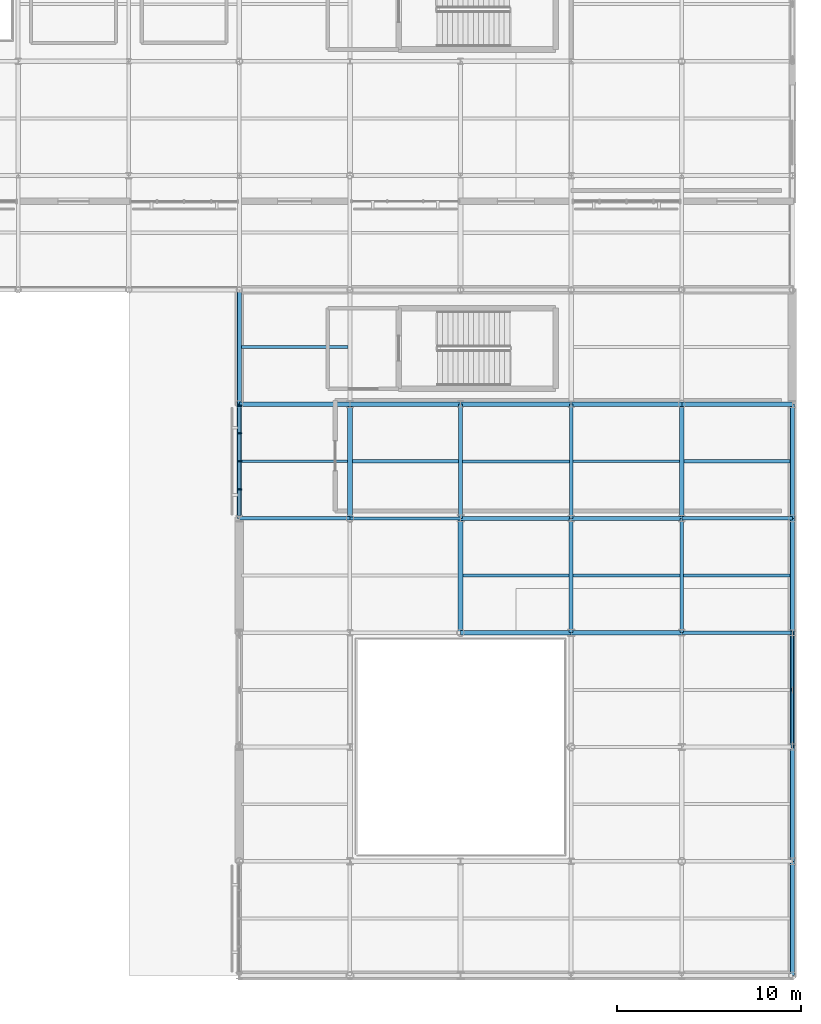
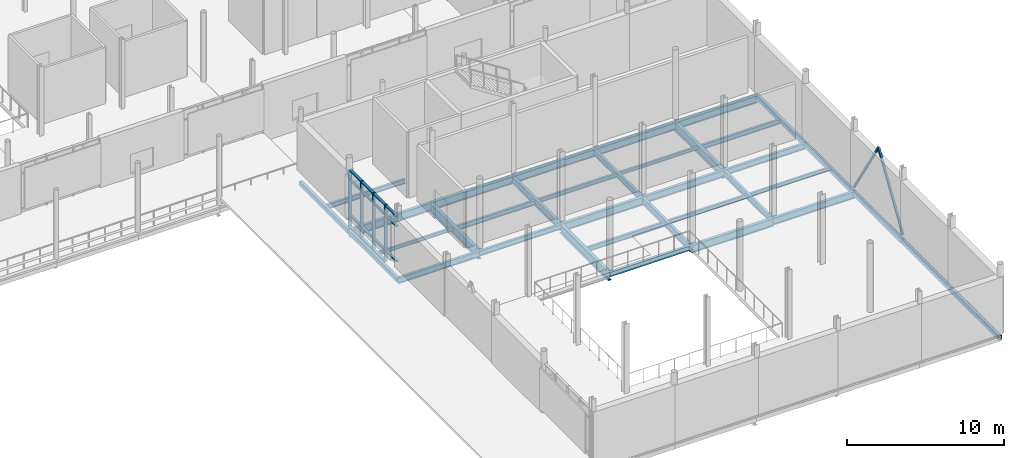
# One storey, part 46 of 105: 36 beams, 21 members, 1 element without a shape of its own.
"""IFC4 building model written with IfcOpenShell, lengths in metres."""

from ifc_helpers import new_model, si_unit, direction, frame, origin, origin_2d, place, context, subcontext, project, spatial, rectangle, hollow_rectangle, i_section, extrude, material, layer, layer_set, material_profile, profile_set, type_object, element, aggregate, save


model = new_model("IFC4")

# Units and contexts
model_context = context("Model", 3, precision=1e-05, world=origin(), true_north=direction((0.0, 1.0)))
body_context = subcontext(model_context, "Body", "Model", "MODEL_VIEW")
ifc_project = project(units=[si_unit("LENGTHUNIT", "METRE"), si_unit("AREAUNIT", "SQUARE_METRE"), si_unit("VOLUMEUNIT", "CUBIC_METRE"), si_unit("PLANEANGLEUNIT", "RADIAN"), si_unit("MASSUNIT", "GRAM", prefix="KILO")], contexts=[model_context])

# Site, building, storey
site_placement = place(None, origin())
site = spatial("IfcSite", under=ifc_project, at=site_placement, CompositionType="ELEMENT")
building_placement = place(site_placement, origin())
building = spatial("IfcBuilding", under=site, at=building_placement, Name="Mirzam Square Science Centre", CompositionType="ELEMENT")
storey_placement = place(building_placement, frame((0.0, 0.0, 5.39990234375)))
storey = spatial("IfcBuildingStorey", under=building, at=storey_placement, Name="L01", CompositionType="ELEMENT", Elevation=5.39990234375)

# Beams
ifc_material_1 = material(Name="Steel S355", Category="steel")
ifc_material_profile_1 = material_profile(ifc_material_1, i_section(OverallWidth=0.1787109375, OverallDepth=0.409423828125, WebThickness=0.0087890625, FlangeThickness=0.014404296875, FilletRadius=0.01025390625, at=origin_2d()), Name="406x178x67UB")
ifc_profile_set_1 = profile_set([ifc_material_profile_1], Name="Steel S355")
beam_type_1 = type_object("IfcBeamType", Name="BM-UB406", PredefinedType="BEAM", material=ifc_profile_set_1)
beam_1_placement = place(storey_placement, frame((138.0, 24.800048828125, -0.464599609375), z_axis=(1.0, 0.0, 0.0), x_axis=(0.0, 1.0, 0.0)))
element("IfcBeam", 1, at=beam_1_placement, inside=storey, type_object=beam_type_1, Name="L01 girder X24-5", PredefinedType="BEAM", context=body_context, shape_type="SweptSolid", body=[
    extrude(i_section(OverallWidth=0.1787109375, OverallDepth=0.409423828125, WebThickness=0.0087890625, FlangeThickness=0.014404296875, FilletRadius=0.01025390625, at=origin_2d()), origin(), (0.0, 0.0, 1.0), 6.0),
])
ifc_material_profile_2 = material_profile(ifc_material_1, i_section(OverallWidth=0.19140625, OverallDepth=0.4599609375, WebThickness=0.010009765625, FlangeThickness=0.01611328125, FilletRadius=0.01025390625, at=origin_2d()), Name="457x191x82UB")
ifc_profile_set_2 = profile_set([ifc_material_profile_2], Name="Steel S355")
beam_type_2 = type_object("IfcBeamType", Name="BM-UB457", PredefinedType="BEAM", material=ifc_profile_set_2)
for number, where, z_axis, x_axis, name in (
    (2, (132.0, 24.800048828125, -0.489990234375), (1.0, 0.0, 0.0), (0.0, 1.0, 0.0), "L01 girder X23-5"),
    (3, (156.0, 24.800048828125, -0.489990234375), (1.0, 0.0, 0.0), (0.0, 1.0, 0.0), "L01 girder X27-5"),
):
    element("IfcBeam", number, at=place(storey_placement, frame(where, z_axis=z_axis, x_axis=x_axis)), inside=storey, type_object=beam_type_2, Name=name, PredefinedType="BEAM", context=body_context, shape_type="SweptSolid", body=[
        extrude(i_section(OverallWidth=0.19140625, OverallDepth=0.4599609375, WebThickness=0.010009765625, FlangeThickness=0.01611328125, FilletRadius=0.01025390625, at=origin_2d()), origin(), (0.0, 0.0, 1.0), 6.0),
    ])
for number, where, z_axis, x_axis, name in (
    (4, (150.0, 24.800048828125, -0.489990234375), (0.0, 1.0, 0.0), (-1.0, 0.0, 0.0), "L01 girder Y26-5"),
    (5, (156.0, 18.60009765625, -0.489990234375), (0.0, 1.0, 0.0), (-1.0, 0.0, 0.0), "L01 girder Y27-4"),
):
    element("IfcBeam", number, at=place(storey_placement, frame(where, z_axis=z_axis, x_axis=x_axis)), inside=storey, type_object=beam_type_2, Name=name, PredefinedType="BEAM", context=body_context, shape_type="SweptSolid", body=[
        extrude(i_section(OverallWidth=0.19140625, OverallDepth=0.4599609375, WebThickness=0.010009765625, FlangeThickness=0.01611328125, FilletRadius=0.01025390625, at=origin_2d()), origin(), (0.0, 0.0, 1.0), 6.199951171875),
    ])
ifc_material_profile_3 = material_profile(ifc_material_1, i_section(OverallWidth=0.2099609375, OverallDepth=0.53662109375, WebThickness=0.0107421875, FlangeThickness=0.017333984375, FilletRadius=0.0126953125, at=origin_2d()), Name="533x210x101UB")
ifc_profile_set_3 = profile_set([ifc_material_profile_3], Name="Steel S355")
beam_type_3 = type_object("IfcBeamType", Name="BM-UB533", PredefinedType="BEAM", material=ifc_profile_set_3)
for number, where, z_axis, x_axis, name in (
    (6, (156.0, 18.60009765625, -0.5283203125), (1.0, 0.0, 0.0), (0.0, 1.0, 0.0), "L01 girder X27-4"),
    (7, (150.0, 24.800048828125, -0.5283203125), (1.0, 0.0, 0.0), (0.0, 1.0, 0.0), "L01 girder X26-5"),
):
    element("IfcBeam", number, at=place(storey_placement, frame(where, z_axis=z_axis, x_axis=x_axis)), inside=storey, type_object=beam_type_3, Name=name, PredefinedType="BEAM", context=body_context, shape_type="SweptSolid", body=[
        extrude(i_section(OverallWidth=0.2099609375, OverallDepth=0.53662109375, WebThickness=0.0107421875, FlangeThickness=0.017333984375, FilletRadius=0.0126953125, at=origin_2d()), origin(), (0.0, 0.0, 1.0), 6.0),
    ])
for number, where, z_axis, x_axis, name in (
    (8, (144.0, 24.800048828125, -0.5283203125), (0.0, 1.0, 0.0), (-1.0, 0.0, 0.0), "L01 girder Y25-5"),
    (9, (150.0, 18.60009765625, -0.5283203125), (0.0, 1.0, 0.0), (-1.0, 0.0, 0.0), "L01 girder Y26-4"),
):
    element("IfcBeam", number, at=place(storey_placement, frame(where, z_axis=z_axis, x_axis=x_axis)), inside=storey, type_object=beam_type_3, Name=name, PredefinedType="BEAM", context=body_context, shape_type="SweptSolid", body=[
        extrude(i_section(OverallWidth=0.2099609375, OverallDepth=0.53662109375, WebThickness=0.0107421875, FlangeThickness=0.017333984375, FilletRadius=0.0126953125, at=origin_2d()), origin(), (0.0, 0.0, 1.0), 6.199951171875),
    ])
ifc_material_profile_4 = material_profile(ifc_material_1, i_section(OverallWidth=0.22900390625, OverallDepth=0.6123046875, WebThickness=0.011962890625, FlangeThickness=0.01953125, FilletRadius=0.0126953125, at=origin_2d()), Name="610x229x125UB")
ifc_profile_set_4 = profile_set([ifc_material_profile_4], Name="Steel S355")
beam_type_4 = type_object("IfcBeamType", Name="BM-UB610", PredefinedType="BEAM", material=ifc_profile_set_4)
for number, where, z_axis, x_axis, name in (
    (10, (150.0, 18.60009765625, -0.56591796875), (1.0, 0.0, 0.0), (0.0, 1.0, 0.0), "L01 girder X26-4"),
    (11, (144.0, 24.800048828125, -0.56591796875), (1.0, 0.0, 0.0), (0.0, 1.0, 0.0), "L01 girder X25-5"),
    (12, (132.0, 31.0, -0.56591796875), (1.0, 0.0, 0.0), (0.0, 1.0, 0.0), "L01 girder X23-6"),
    (13, (138.0, 31.0, -0.56591796875), (1.0, 0.0, 0.0), (0.0, 1.0, 0.0), "L01 girder X24-6"),
    (14, (144.0, 31.0, -0.56591796875), (1.0, 0.0, 0.0), (0.0, 1.0, 0.0), "L01 girder X25-6"),
    (15, (150.0, 31.0, -0.56591796875), (1.0, 0.0, 0.0), (0.0, 1.0, 0.0), "L01 girder X26-6"),
    (16, (156.0, 31.0, -0.56591796875), (1.0, 0.0, 0.0), (0.0, 1.0, 0.0), "L01 girder X27-6"),
):
    element("IfcBeam", number, at=place(storey_placement, frame(where, z_axis=z_axis, x_axis=x_axis)), inside=storey, type_object=beam_type_4, Name=name, PredefinedType="BEAM", context=body_context, shape_type="SweptSolid", body=[
        extrude(i_section(OverallWidth=0.22900390625, OverallDepth=0.6123046875, WebThickness=0.011962890625, FlangeThickness=0.01953125, FilletRadius=0.0126953125, at=origin_2d()), origin(), (0.0, 0.0, 1.0), 6.0),
    ])
ifc_material_profile_5 = material_profile(ifc_material_1, i_section(OverallWidth=0.25439453125, OverallDepth=0.6875, WebThickness=0.01318359375, FlangeThickness=0.02099609375, FilletRadius=0.01513671875, at=origin_2d()), Name="686x254x152UB")
ifc_profile_set_5 = profile_set([ifc_material_profile_5], Name="Steel S355")
beam_type_5 = type_object("IfcBeamType", Name="BM-UB686", PredefinedType="BEAM", material=ifc_profile_set_5)
for number, where, z_axis, x_axis, name in (
    (17, (138.0, 24.800048828125, -0.603759765625), (0.0, 1.0, 0.0), (-1.0, 0.0, 0.0), "L01 girder Y24-5"),
    (18, (144.0, 18.60009765625, -0.603759765625), (0.0, 1.0, 0.0), (-1.0, 0.0, 0.0), "L01 girder Y25-4"),
    (19, (156.0, 24.800048828125, -0.603759765625), (0.0, 1.0, 0.0), (-1.0, 0.0, 0.0), "L01 girder Y27-5"),
):
    element("IfcBeam", number, at=place(storey_placement, frame(where, z_axis=z_axis, x_axis=x_axis)), inside=storey, type_object=beam_type_5, Name=name, PredefinedType="BEAM", context=body_context, shape_type="SweptSolid", body=[
        extrude(i_section(OverallWidth=0.25439453125, OverallDepth=0.6875, WebThickness=0.01318359375, FlangeThickness=0.02099609375, FilletRadius=0.01513671875, at=origin_2d()), origin(), (0.0, 0.0, 1.0), 6.199951171875),
    ])

# Members
ifc_material_profile_6 = material_profile(ifc_material_1, hollow_rectangle(XDim=0.14990234375, YDim=0.14990234375, WallThickness=0.008056640625, InnerFilletRadius=0.008056640625, OuterFilletRadius=0.01611328125, at=origin_2d()), Name="150x150x8.0SHS")
ifc_profile_set_6 = profile_set([ifc_material_profile_6], Name="Steel S355")
member_type_1 = type_object("IfcMemberType", Name="BR-SHS150", PredefinedType="BRACE", material=ifc_profile_set_6)
for number, where, z_axis, x_axis, name in (
    (20, (162.0, 12.39990234375, 0.050048828125), (0.0, 0.532707561114, 0.84629938812), (-1.0, 0.0, 0.0), "L01 chevron brace 7A"),
    (21, (162.0, 18.60009765625, 0.050048828125), (0.0, -0.532707561114, 0.84629938812), (1.0, 0.0, 0.0), "L01 chevron brace 7B"),
):
    element("IfcMember", number, at=place(storey_placement, frame(where, z_axis=z_axis, x_axis=x_axis)), inside=storey, type_object=member_type_1, Name=name, PredefinedType="BRACE", context=body_context, shape_type="SweptSolid", body=[
        extrude(hollow_rectangle(XDim=0.14990234375, YDim=0.14990234375, WallThickness=0.008056640625, InnerFilletRadius=0.008056640625, OuterFilletRadius=0.01611328125, at=origin_2d()), origin(), (0.0, 0.0, 1.0), 5.819580078125),
    ])

# Curtain wall, members
ifc_material_2 = material(Name="Anodised Aluminium and Low-E Solar Glass", Category="aluminium")
ifc_layer = layer(ifc_material_2, 0.179931640625)
ifc_layer_set = layer_set([ifc_layer], Name="CW-PARK-A")
curtain_wall_type = type_object("IfcCurtainWallType", Name="CW-PARK-A", PredefinedType="USERDEFINED", material=ifc_layer_set)
curtain_wall_placement = place(storey_placement, origin())
curtain_wall = element("IfcCurtainWall", 22, at=curtain_wall_placement, inside=storey, type_object=curtain_wall_type, Name="L01 unitised curtain wall 61", ObjectType="UNITISED CURTAIN WALL", PredefinedType="USERDEFINED")
ifc_material_3 = material(Name="Anodised Architectural Aluminium 6063-T6", Category="aluminium")
ifc_material_profile_7 = material_profile(ifc_material_3, rectangle(XDim=0.074951171875, YDim=0.239990234375, at=origin_2d()), Name="ALU-MULL-240x75x5")
ifc_profile_set_7 = profile_set([ifc_material_profile_7], Name="Anodised Architectural Aluminium 6063-T6")
member_type_2 = type_object("IfcMemberType", Name="CWM-240", PredefinedType="MULLION", material=ifc_profile_set_7)
member_1_placement = place(storey_placement, frame((132.0, 30.907470703125, 0.0), z_axis=(0.0, 0.0, 1.0), x_axis=(0.0, -1.0, 0.0)))
member_1 = element("IfcMember", 23, at=member_1_placement, type_object=member_type_2, Name="CW-01 mullion 1", PredefinedType="MULLION", context=body_context, shape_type="SweptSolid", body=[
    extrude(rectangle(XDim=0.074951171875, YDim=0.239990234375, at=origin_2d()), origin(), (0.0, 0.0, 1.0), 4.440185546875),
])
member_2_placement = place(storey_placement, frame((132.0, 29.422607421875, 0.0), z_axis=(0.0, 0.0, 1.0), x_axis=(0.0, -1.0, 0.0)))
member_2 = element("IfcMember", 24, at=member_2_placement, type_object=member_type_2, Name="CW-01 mullion 2", PredefinedType="MULLION", context=body_context, shape_type="SweptSolid", body=[
    extrude(rectangle(XDim=0.074951171875, YDim=0.239990234375, at=origin_2d()), origin(), (0.0, 0.0, 1.0), 4.440185546875),
])
member_3_placement = place(storey_placement, frame((132.0, 27.89990234375, 0.0), z_axis=(0.0, 0.0, 1.0), x_axis=(0.0, -1.0, 0.0)))
member_3 = element("IfcMember", 25, at=member_3_placement, type_object=member_type_2, Name="CW-01 mullion 3", PredefinedType="MULLION", context=body_context, shape_type="SweptSolid", body=[
    extrude(rectangle(XDim=0.074951171875, YDim=0.239990234375, at=origin_2d()), origin(), (0.0, 0.0, 1.0), 4.440185546875),
])
member_4_placement = place(storey_placement, frame((132.0, 26.37744140625, 0.0), z_axis=(0.0, 0.0, 1.0), x_axis=(0.0, -1.0, 0.0)))
member_4 = element("IfcMember", 26, at=member_4_placement, type_object=member_type_2, Name="CW-01 mullion 4", PredefinedType="MULLION", context=body_context, shape_type="SweptSolid", body=[
    extrude(rectangle(XDim=0.074951171875, YDim=0.239990234375, at=origin_2d()), origin(), (0.0, 0.0, 1.0), 4.440185546875),
])
ifc_material_profile_8 = material_profile(ifc_material_3, rectangle(XDim=0.179931640625, YDim=0.074951171875, at=origin_2d()), Name="ALU-TRAN-180x75x5")
ifc_profile_set_8 = profile_set([ifc_material_profile_8], Name="Anodised Architectural Aluminium 6063-T6")
member_type_3 = type_object("IfcMemberType", Name="CWT-180", PredefinedType="USERDEFINED", material=ifc_profile_set_8)
member_5_placement = place(storey_placement, frame((132.0, 30.8701171875, 0.03759765625), z_axis=(0.0, -1.0, 0.0), x_axis=(1.0, 0.0, 0.0)))
member_5 = element("IfcMember", 27, at=member_5_placement, type_object=member_type_3, Name="CW-01 transom 1.1", ObjectType="TRANSOM", PredefinedType="USERDEFINED", context=body_context, shape_type="SweptSolid", body=[
    extrude(rectangle(XDim=0.179931640625, YDim=0.074951171875, at=origin_2d()), origin(), (0.0, 0.0, 1.0), 1.41015625),
])
member_6_placement = place(storey_placement, frame((132.0, 30.8701171875, 0.900146484375), z_axis=(0.0, -1.0, 0.0), x_axis=(1.0, 0.0, 0.0)))
member_6 = element("IfcMember", 28, at=member_6_placement, type_object=member_type_3, Name="CW-01 transom 1.2", ObjectType="TRANSOM", PredefinedType="USERDEFINED", context=body_context, shape_type="SweptSolid", body=[
    extrude(rectangle(XDim=0.179931640625, YDim=0.074951171875, at=origin_2d()), origin(), (0.0, 0.0, 1.0), 1.41015625),
])
member_7_placement = place(storey_placement, frame((132.0, 30.8701171875, 3.64013671875), z_axis=(0.0, -1.0, 0.0), x_axis=(1.0, 0.0, 0.0)))
member_7 = element("IfcMember", 29, at=member_7_placement, type_object=member_type_3, Name="CW-01 transom 1.3", ObjectType="TRANSOM", PredefinedType="USERDEFINED", context=body_context, shape_type="SweptSolid", body=[
    extrude(rectangle(XDim=0.179931640625, YDim=0.074951171875, at=origin_2d()), origin(), (0.0, 0.0, 1.0), 1.41015625),
])
member_8_placement = place(storey_placement, frame((132.0, 30.8701171875, 4.402587890625), z_axis=(0.0, -1.0, 0.0), x_axis=(1.0, 0.0, 0.0)))
member_8 = element("IfcMember", 30, at=member_8_placement, type_object=member_type_3, Name="CW-01 transom 1.4", ObjectType="TRANSOM", PredefinedType="USERDEFINED", context=body_context, shape_type="SweptSolid", body=[
    extrude(rectangle(XDim=0.179931640625, YDim=0.074951171875, at=origin_2d()), origin(), (0.0, 0.0, 1.0), 1.41015625),
])
member_9_placement = place(storey_placement, frame((132.0, 29.385009765625, 0.03759765625), z_axis=(0.0, -1.0, 0.0), x_axis=(1.0, 0.0, 0.0)))
member_9 = element("IfcMember", 31, at=member_9_placement, type_object=member_type_3, Name="CW-01 transom 2.1", ObjectType="TRANSOM", PredefinedType="USERDEFINED", context=body_context, shape_type="SweptSolid", body=[
    extrude(rectangle(XDim=0.179931640625, YDim=0.074951171875, at=origin_2d()), origin(), (0.0, 0.0, 1.0), 1.447509765625),
])
member_10_placement = place(storey_placement, frame((132.0, 29.385009765625, 0.900146484375), z_axis=(0.0, -1.0, 0.0), x_axis=(1.0, 0.0, 0.0)))
member_10 = element("IfcMember", 32, at=member_10_placement, type_object=member_type_3, Name="CW-01 transom 2.2", ObjectType="TRANSOM", PredefinedType="USERDEFINED", context=body_context, shape_type="SweptSolid", body=[
    extrude(rectangle(XDim=0.179931640625, YDim=0.074951171875, at=origin_2d()), origin(), (0.0, 0.0, 1.0), 1.447509765625),
])
member_11_placement = place(storey_placement, frame((132.0, 29.385009765625, 3.64013671875), z_axis=(0.0, -1.0, 0.0), x_axis=(1.0, 0.0, 0.0)))
member_11 = element("IfcMember", 33, at=member_11_placement, type_object=member_type_3, Name="CW-01 transom 2.3", ObjectType="TRANSOM", PredefinedType="USERDEFINED", context=body_context, shape_type="SweptSolid", body=[
    extrude(rectangle(XDim=0.179931640625, YDim=0.074951171875, at=origin_2d()), origin(), (0.0, 0.0, 1.0), 1.447509765625),
])
member_12_placement = place(storey_placement, frame((132.0, 29.385009765625, 4.402587890625), z_axis=(0.0, -1.0, 0.0), x_axis=(1.0, 0.0, 0.0)))
member_12 = element("IfcMember", 34, at=member_12_placement, type_object=member_type_3, Name="CW-01 transom 2.4", ObjectType="TRANSOM", PredefinedType="USERDEFINED", context=body_context, shape_type="SweptSolid", body=[
    extrude(rectangle(XDim=0.179931640625, YDim=0.074951171875, at=origin_2d()), origin(), (0.0, 0.0, 1.0), 1.447509765625),
])
member_13_placement = place(storey_placement, frame((132.0, 27.862548828125, 0.03759765625), z_axis=(0.0, -1.0, 0.0), x_axis=(1.0, 0.0, 0.0)))
member_13 = element("IfcMember", 35, at=member_13_placement, type_object=member_type_3, Name="CW-01 transom 3.1", ObjectType="TRANSOM", PredefinedType="USERDEFINED", context=body_context, shape_type="SweptSolid", body=[
    extrude(rectangle(XDim=0.179931640625, YDim=0.074951171875, at=origin_2d()), origin(), (0.0, 0.0, 1.0), 1.447509765625),
])
member_14_placement = place(storey_placement, frame((132.0, 27.862548828125, 0.900146484375), z_axis=(0.0, -1.0, 0.0), x_axis=(1.0, 0.0, 0.0)))
member_14 = element("IfcMember", 36, at=member_14_placement, type_object=member_type_3, Name="CW-01 transom 3.2", ObjectType="TRANSOM", PredefinedType="USERDEFINED", context=body_context, shape_type="SweptSolid", body=[
    extrude(rectangle(XDim=0.179931640625, YDim=0.074951171875, at=origin_2d()), origin(), (0.0, 0.0, 1.0), 1.447509765625),
])
member_15_placement = place(storey_placement, frame((132.0, 27.862548828125, 3.64013671875), z_axis=(0.0, -1.0, 0.0), x_axis=(1.0, 0.0, 0.0)))
member_15 = element("IfcMember", 37, at=member_15_placement, type_object=member_type_3, Name="CW-01 transom 3.3", ObjectType="TRANSOM", PredefinedType="USERDEFINED", context=body_context, shape_type="SweptSolid", body=[
    extrude(rectangle(XDim=0.179931640625, YDim=0.074951171875, at=origin_2d()), origin(), (0.0, 0.0, 1.0), 1.447509765625),
])
member_16_placement = place(storey_placement, frame((132.0, 27.862548828125, 4.402587890625), z_axis=(0.0, -1.0, 0.0), x_axis=(1.0, 0.0, 0.0)))
member_16 = element("IfcMember", 38, at=member_16_placement, type_object=member_type_3, Name="CW-01 transom 3.4", ObjectType="TRANSOM", PredefinedType="USERDEFINED", context=body_context, shape_type="SweptSolid", body=[
    extrude(rectangle(XDim=0.179931640625, YDim=0.074951171875, at=origin_2d()), origin(), (0.0, 0.0, 1.0), 1.447509765625),
])
member_17_placement = place(storey_placement, frame((132.0, 26.340087890625, 0.900146484375), z_axis=(0.0, -1.0, 0.0), x_axis=(1.0, 0.0, 0.0)))
member_17 = element("IfcMember", 39, at=member_17_placement, type_object=member_type_3, Name="CW-01 transom 4.2", ObjectType="TRANSOM", PredefinedType="USERDEFINED", context=body_context, shape_type="SweptSolid", body=[
    extrude(rectangle(XDim=0.179931640625, YDim=0.074951171875, at=origin_2d()), origin(), (0.0, 0.0, 1.0), 1.41015625),
])
member_18_placement = place(storey_placement, frame((132.0, 26.340087890625, 3.64013671875), z_axis=(0.0, -1.0, 0.0), x_axis=(1.0, 0.0, 0.0)))
member_18 = element("IfcMember", 40, at=member_18_placement, type_object=member_type_3, Name="CW-01 transom 4.3", ObjectType="TRANSOM", PredefinedType="USERDEFINED", context=body_context, shape_type="SweptSolid", body=[
    extrude(rectangle(XDim=0.179931640625, YDim=0.074951171875, at=origin_2d()), origin(), (0.0, 0.0, 1.0), 1.41015625),
])
member_19_placement = place(storey_placement, frame((132.0, 26.340087890625, 4.402587890625), z_axis=(0.0, -1.0, 0.0), x_axis=(1.0, 0.0, 0.0)))
member_19 = element("IfcMember", 41, at=member_19_placement, type_object=member_type_3, Name="CW-01 transom 4.4", ObjectType="TRANSOM", PredefinedType="USERDEFINED", context=body_context, shape_type="SweptSolid", body=[
    extrude(rectangle(XDim=0.179931640625, YDim=0.074951171875, at=origin_2d()), origin(), (0.0, 0.0, 1.0), 1.41015625),
])
aggregate(curtain_wall, [member_1, member_2, member_3, member_4, member_5, member_6, member_7, member_8, member_9, member_10, member_11, member_12, member_13, member_14, member_15, member_16, member_17, member_18, member_19])

# Beams
ifc_material_profile_9 = material_profile(ifc_material_1, i_section(OverallWidth=0.146484375, OverallDepth=0.256103515625, WebThickness=0.00634765625, FlangeThickness=0.010986328125, FilletRadius=0.007568359375, at=origin_2d()), Name="254x146x37UB")
ifc_profile_set_9 = profile_set([ifc_material_profile_9], Name="Steel S355")
beam_type_6 = type_object("IfcBeamType", Name="JS-UB254", PredefinedType="JOIST", material=ifc_profile_set_9)
beam_2_placement = place(storey_placement, frame((132.125, 27.89990234375, -0.387939453125), z_axis=(1.0, 0.0, 0.0), x_axis=(0.0, 1.0, 0.0)))
element("IfcBeam", 42, at=beam_2_placement, inside=storey, type_object=beam_type_6, Name="L01 composite joist 23-5", PredefinedType="JOIST", context=body_context, shape_type="SweptSolid", body=[
    extrude(i_section(OverallWidth=0.146484375, OverallDepth=0.256103515625, WebThickness=0.00634765625, FlangeThickness=0.010986328125, FilletRadius=0.007568359375, at=origin_2d()), origin(), (0.0, 0.0, 1.0), 5.747802734375),
])
beam_3_placement = place(storey_placement, frame((150.095703125, 27.89990234375, -0.387939453125), z_axis=(1.0, 0.0, 0.0), x_axis=(0.0, 1.0, 0.0)))
element("IfcBeam", 43, at=beam_3_placement, inside=storey, type_object=beam_type_6, Name="L01 composite joist 26-5", PredefinedType="JOIST", context=body_context, shape_type="SweptSolid", body=[
    extrude(i_section(OverallWidth=0.146484375, OverallDepth=0.256103515625, WebThickness=0.00634765625, FlangeThickness=0.010986328125, FilletRadius=0.007568359375, at=origin_2d()), origin(), (0.0, 0.0, 1.0), 5.777099609375),
])
beam_4_placement = place(storey_placement, frame((156.095703125, 21.699951171875, -0.387939453125), z_axis=(1.0, 0.0, 0.0), x_axis=(0.0, 1.0, 0.0)))
element("IfcBeam", 44, at=beam_4_placement, inside=storey, type_object=beam_type_6, Name="L01 composite joist 27-4", PredefinedType="JOIST", context=body_context, shape_type="SweptSolid", body=[
    extrude(i_section(OverallWidth=0.146484375, OverallDepth=0.256103515625, WebThickness=0.00634765625, FlangeThickness=0.010986328125, FilletRadius=0.007568359375, at=origin_2d()), origin(), (0.0, 0.0, 1.0), 5.779296875),
])
ifc_material_profile_10 = material_profile(ifc_material_1, i_section(OverallWidth=0.165771484375, OverallDepth=0.306640625, WebThickness=0.006591796875, FlangeThickness=0.01171875, FilletRadius=0.0087890625, at=origin_2d()), Name="305x165x46UB")
ifc_profile_set_10 = profile_set([ifc_material_profile_10], Name="Steel S355")
beam_type_7 = type_object("IfcBeamType", Name="JS-UB305", PredefinedType="JOIST", material=ifc_profile_set_10)
for number, where, z_axis, x_axis, name in (
    (45, (144.10498046875, 27.89990234375, -0.4130859375), (1.0, 0.0, 0.0), (0.0, 1.0, 0.0), "L01 composite joist 25-5"),
    (46, (150.10498046875, 21.699951171875, -0.4130859375), (1.0, 0.0, 0.0), (0.0, 1.0, 0.0), "L01 composite joist 26-4"),
):
    element("IfcBeam", number, at=place(storey_placement, frame(where, z_axis=z_axis, x_axis=x_axis)), inside=storey, type_object=beam_type_7, Name=name, PredefinedType="JOIST", context=body_context, shape_type="SweptSolid", body=[
        extrude(i_section(OverallWidth=0.165771484375, OverallDepth=0.306640625, WebThickness=0.006591796875, FlangeThickness=0.01171875, FilletRadius=0.0087890625, at=origin_2d()), origin(), (0.0, 0.0, 1.0), 5.79931640625),
    ])
ifc_material_profile_11 = material_profile(ifc_material_1, i_section(OverallWidth=0.172119140625, OverallDepth=0.35791015625, WebThickness=0.008056640625, FlangeThickness=0.012939453125, FilletRadius=0.01025390625, at=origin_2d()), Name="356x171x57UB")
ifc_profile_set_11 = profile_set([ifc_material_profile_11], Name="Steel S355")
beam_type_8 = type_object("IfcBeamType", Name="JS-UB356", PredefinedType="JOIST", material=ifc_profile_set_11)
beam_5_placement = place(storey_placement, frame((132.125, 34.10009765625, -0.43896484375), z_axis=(1.0, 0.0, 0.0), x_axis=(0.0, 1.0, 0.0)))
element("IfcBeam", 47, at=beam_5_placement, inside=storey, type_object=beam_type_8, Name="L01 composite joist 23-6", PredefinedType="JOIST", context=body_context, shape_type="SweptSolid", body=[
    extrude(i_section(OverallWidth=0.172119140625, OverallDepth=0.35791015625, WebThickness=0.008056640625, FlangeThickness=0.012939453125, FilletRadius=0.01025390625, at=origin_2d()), origin(), (0.0, 0.0, 1.0), 5.77001953125),
])
for number, where, z_axis, x_axis, name in (
    (48, (138.127197265625, 27.89990234375, -0.43896484375), (1.0, 0.0, 0.0), (0.0, 1.0, 0.0), "L01 composite joist 24-5"),
    (49, (144.127197265625, 21.699951171875, -0.43896484375), (1.0, 0.0, 0.0), (0.0, 1.0, 0.0), "L01 composite joist 25-4"),
):
    element("IfcBeam", number, at=place(storey_placement, frame(where, z_axis=z_axis, x_axis=x_axis)), inside=storey, type_object=beam_type_8, Name=name, PredefinedType="JOIST", context=body_context, shape_type="SweptSolid", body=[
        extrude(i_section(OverallWidth=0.172119140625, OverallDepth=0.35791015625, WebThickness=0.008056640625, FlangeThickness=0.012939453125, FilletRadius=0.01025390625, at=origin_2d()), origin(), (0.0, 0.0, 1.0), 5.767822265625),
    ])
beam_6_placement = place(storey_placement, frame((156.127197265625, 27.89990234375, -0.43896484375), z_axis=(1.0, 0.0, 0.0), x_axis=(0.0, 1.0, 0.0)))
element("IfcBeam", 50, at=beam_6_placement, inside=storey, type_object=beam_type_8, Name="L01 composite joist 27-5", PredefinedType="JOIST", context=body_context, shape_type="SweptSolid", body=[
    extrude(i_section(OverallWidth=0.172119140625, OverallDepth=0.35791015625, WebThickness=0.008056640625, FlangeThickness=0.012939453125, FilletRadius=0.01025390625, at=origin_2d()), origin(), (0.0, 0.0, 1.0), 5.747802734375),
])
ifc_material_profile_12 = material_profile(ifc_material_1, hollow_rectangle(XDim=0.25, YDim=0.35009765625, WallThickness=0.012451171875, InnerFilletRadius=0.012451171875, OuterFilletRadius=0.02490234375, at=origin_2d()), Name="350x250x12.5RHS")
ifc_profile_set_12 = profile_set([ifc_material_profile_12], Name="Steel S355")
beam_type_9 = type_object("IfcBeamType", Name="SP-RHS350", PredefinedType="SPANDREL", material=ifc_profile_set_12)
beam_7_placement = place(storey_placement, frame((144.0, 18.60009765625, -0.434814453125), z_axis=(1.0, 0.0, 0.0), x_axis=(0.0, 1.0, 0.0)))
element("IfcBeam", 51, at=beam_7_placement, inside=storey, type_object=beam_type_9, Name="L01 girder X25-4", PredefinedType="SPANDREL", context=body_context, shape_type="SweptSolid", body=[
    extrude(hollow_rectangle(XDim=0.25, YDim=0.35009765625, WallThickness=0.012451171875, InnerFilletRadius=0.012451171875, OuterFilletRadius=0.02490234375, at=origin_2d()), origin(), (0.0, 0.0, 1.0), 6.0),
])
for number, where, z_axis, x_axis, name in (
    (52, (132.0, 24.800048828125, -0.434814453125), (0.0, 1.0, 0.0), (-1.0, 0.0, 0.0), "L01 girder Y23-5"),
    (53, (132.0, 31.0, -0.434814453125), (0.0, 1.0, 0.0), (-1.0, 0.0, 0.0), "L01 girder Y23-6"),
    (54, (162.0, 0.0, -0.434814453125), (0.0, 1.0, 0.0), (-1.0, 0.0, 0.0), "L01 girder Y28-1"),
    (55, (162.0, 6.199951171875, -0.434814453125), (0.0, 1.0, 0.0), (-1.0, 0.0, 0.0), "L01 girder Y28-2"),
):
    element("IfcBeam", number, at=place(storey_placement, frame(where, z_axis=z_axis, x_axis=x_axis)), inside=storey, type_object=beam_type_9, Name=name, PredefinedType="SPANDREL", context=body_context, shape_type="SweptSolid", body=[
        extrude(hollow_rectangle(XDim=0.25, YDim=0.35009765625, WallThickness=0.012451171875, InnerFilletRadius=0.012451171875, OuterFilletRadius=0.02490234375, at=origin_2d()), origin(), (0.0, 0.0, 1.0), 6.199951171875),
    ])
beam_8_placement = place(storey_placement, frame((162.0, 12.39990234375, -0.434814453125), z_axis=(0.0, 1.0, 0.0), x_axis=(-1.0, 0.0, 0.0)))
element("IfcBeam", 56, at=beam_8_placement, inside=storey, type_object=beam_type_9, Name="L01 girder Y28-3", PredefinedType="SPANDREL", context=body_context, shape_type="SweptSolid", body=[
    extrude(hollow_rectangle(XDim=0.25, YDim=0.35009765625, WallThickness=0.012451171875, InnerFilletRadius=0.012451171875, OuterFilletRadius=0.02490234375, at=origin_2d()), origin(), (0.0, 0.0, 1.0), 6.2001953125),
])
for number, where, z_axis, x_axis, name in (
    (57, (162.0, 18.60009765625, -0.434814453125), (0.0, 1.0, 0.0), (-1.0, 0.0, 0.0), "L01 girder Y28-4"),
    (58, (162.0, 24.800048828125, -0.434814453125), (0.0, 1.0, 0.0), (-1.0, 0.0, 0.0), "L01 girder Y28-5"),
):
    element("IfcBeam", number, at=place(storey_placement, frame(where, z_axis=z_axis, x_axis=x_axis)), inside=storey, type_object=beam_type_9, Name=name, PredefinedType="SPANDREL", context=body_context, shape_type="SweptSolid", body=[
        extrude(hollow_rectangle(XDim=0.25, YDim=0.35009765625, WallThickness=0.012451171875, InnerFilletRadius=0.012451171875, OuterFilletRadius=0.02490234375, at=origin_2d()), origin(), (0.0, 0.0, 1.0), 6.199951171875),
    ])

save(model, "model.ifc")
